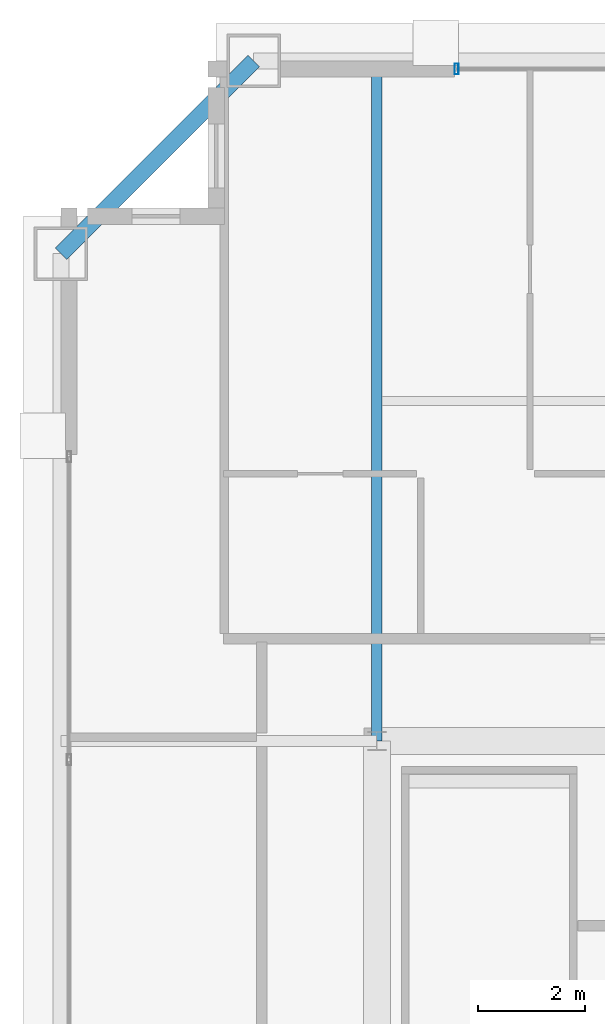
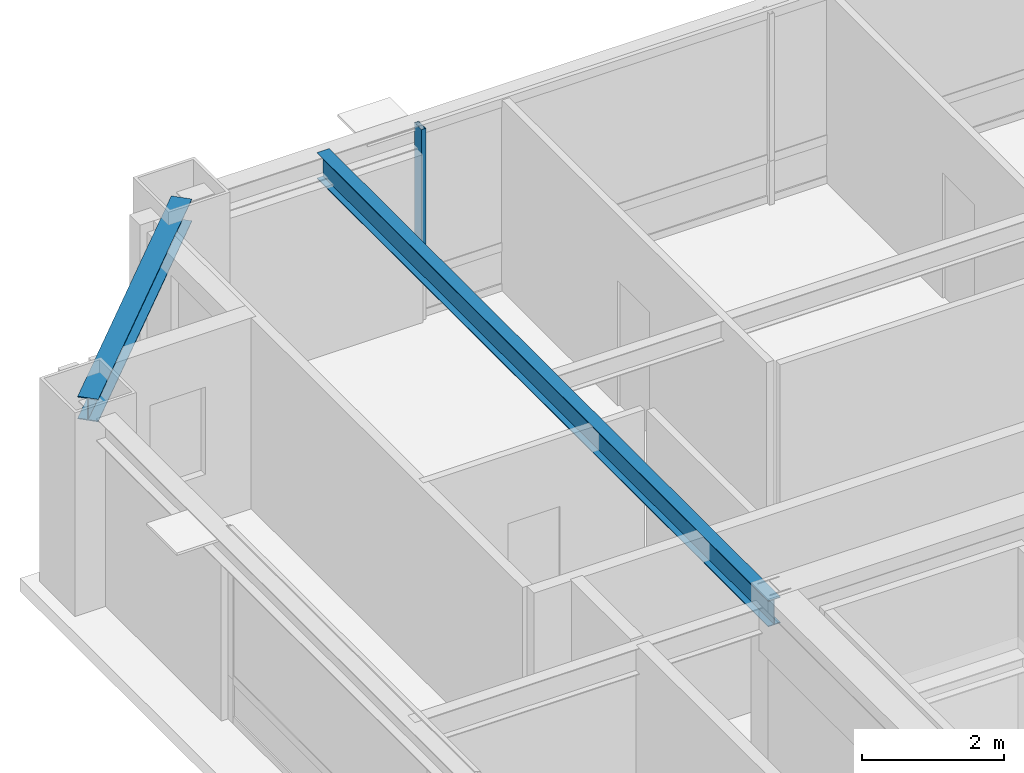
# One storey, part 16 of 35: 2 beams, 1 member, 1 element without a shape of its own.
"""IFC4 building model written with IfcOpenShell, lengths in metres."""

from ifc_helpers import new_model, si_unit, direction, frame, origin, origin_2d, place, context, subcontext, project, spatial, hollow_rectangle, i_section, extrude, source, transform, mapped, material, layer, layer_set, material_profile, profile_set, type_object, element, aggregate, save


model = new_model("IFC4")

# Units and contexts
model_context = context("Model", 3, precision=1e-05, world=origin(), true_north=direction((0.0, 1.0)))
body_context = subcontext(model_context, "Body", "Model", "MODEL_VIEW")
ifc_project = project(units=[si_unit("LENGTHUNIT", "METRE"), si_unit("AREAUNIT", "SQUARE_METRE"), si_unit("VOLUMEUNIT", "CUBIC_METRE"), si_unit("PLANEANGLEUNIT", "RADIAN"), si_unit("MASSUNIT", "GRAM", prefix="KILO"), si_unit("THERMODYNAMICTEMPERATUREUNIT", "KELVIN"), si_unit("POWERUNIT", "WATT")], contexts=[model_context])

# Site, building, storey
site_placement = place(None, origin())
site = spatial("IfcSite", under=ifc_project, at=site_placement, CompositionType="ELEMENT")
building_placement = place(site_placement, origin())
building = spatial("IfcBuilding", under=site, at=building_placement, Name="Yuzanri Waterfront Tower", CompositionType="ELEMENT")
storey_placement = place(building_placement, frame((0.0, 0.0, 311.199951171875)))
storey = spatial("IfcBuildingStorey", under=building, at=storey_placement, Name="L83", CompositionType="ELEMENT", Elevation=311.199951171875)

# Beams
ifc_material_1 = material(Name="Steel Q355B", Category="steel")
ifc_material_profile_1 = material_profile(ifc_material_1, i_section(OverallWidth=0.300048828125, OverallDepth=0.389892578125, WebThickness=0.010009765625, FlangeThickness=0.01611328125, at=origin_2d()), Name="HM 390x300x10x16")
ifc_profile_set_1 = profile_set([ifc_material_profile_1], Name="Steel Q355B")
beam_type_1 = type_object("IfcBeamType", Name="Perimeter Spandrel Q355B HM 390x300", PredefinedType="SPANDREL", material=ifc_profile_set_1)
shared_shape_1 = source(origin(), body_context, "Body", "SweptSolid", [
    extrude(i_section(OverallWidth=0.300048828125, OverallDepth=0.389892578125, WebThickness=0.010009765625, FlangeThickness=0.01611328125, at=origin_2d()), origin(), (0.0, 0.0, 1.0), 5.091064453125),
])
beam_1_placement = place(storey_placement, frame((21.5, 44.89990234375, 3.0849609375), z_axis=(-0.707130757816, -0.707082803744, 0.0), x_axis=(0.707082803744, -0.707130757816, 0.0)))
element("IfcBeam", 1, at=beam_1_placement, inside=storey, type_object=beam_type_1, Name="L83 Perimeter Spandrel N1-W3", PredefinedType="SPANDREL", context=body_context, shape_type="MappedRepresentation", body=[
    mapped(shared_shape_1, transform((0.0, 0.0, 0.0), scale=1.0)),
])
ifc_material_2 = material(Name="Steel Q355B", Category="steel")
ifc_material_profile_2 = material_profile(ifc_material_2, i_section(OverallWidth=0.199951171875, OverallDepth=0.449951171875, WebThickness=0.009033203125, FlangeThickness=0.013916015625, at=origin_2d()), Name="HN 450x200x9x14")
ifc_profile_set_2 = profile_set([ifc_material_profile_2], Name="Steel Q355B")
beam_type_2 = type_object("IfcBeamType", Name="Secondary Floor Beam Q355B HN 450x200", PredefinedType="BEAM", material=ifc_profile_set_2)
shared_shape_2 = source(origin(), body_context, "Body", "SweptSolid", [
    extrude(i_section(OverallWidth=0.199951171875, OverallDepth=0.449951171875, WebThickness=0.009033203125, FlangeThickness=0.013916015625, at=origin_2d()), origin(), (0.0, 0.0, 1.0), 12.699951171875),
])
beam_2_placement = place(storey_placement, frame((23.800048828125, 32.199951171875, 3.054931640625), z_axis=(0.0, 1.0, 0.0), x_axis=(-1.0, 0.0, 0.0)))
element("IfcBeam", 2, at=beam_2_placement, inside=storey, type_object=beam_type_2, Name="L83 North-West Core Line Beam", PredefinedType="BEAM", context=body_context, shape_type="MappedRepresentation", body=[
    mapped(shared_shape_2, transform((0.0, 0.0, 0.0), scale=1.0)),
])

# Curtain wall, member
ifc_material_3 = material(Name="Anodized Architectural Bronze", Category="metal")
ifc_layer = layer(ifc_material_3, 0.159912109375)
ifc_layer_set = layer_set([ifc_layer], Name="Anodized Architectural Bronze")
curtain_wall_type = type_object("IfcCurtainWallType", Name="Anodized Bronze High-Rise Penthouse High-Wind Unitized Curtain Wall 6900", PredefinedType="NOTDEFINED", material=ifc_layer_set)
curtain_wall_placement = place(storey_placement, origin())
curtain_wall = element("IfcCurtainWall", 3, at=curtain_wall_placement, inside=storey, type_object=curtain_wall_type, Name="L83 Curtain Wall CW-L83-NL", PredefinedType="NOTDEFINED")
ifc_material_4 = material(Name="Anodized Architectural Bronze", Category="metal")
ifc_material_profile_3 = material_profile(ifc_material_4, hollow_rectangle(XDim=0.074951171875, YDim=0.199951171875, WallThickness=0.00390625, at=origin_2d()), Name="CWM 75x200")
ifc_profile_set_3 = profile_set([ifc_material_profile_3], Name="Anodized Architectural Bronze")
member_type = type_object("IfcMemberType", Name="Anodized Bronze Primary Curtain-Wall Mullion 75x200", PredefinedType="MULLION", material=ifc_profile_set_3)
shared_shape_3 = source(origin(), body_context, "Body", "SweptSolid", [
    extrude(hollow_rectangle(XDim=0.074951171875, YDim=0.199951171875, WallThickness=0.00390625, at=origin_2d()), origin(), (0.0, 0.0, 1.0), 2.52392578125),
])
member_placement = place(storey_placement, frame((25.2900390625, 44.75, 0.756103515625), z_axis=(0.0, 0.0, 1.0), x_axis=(1.0, 0.0, 0.0)))
member = element("IfcMember", 4, at=member_placement, type_object=member_type, Name="CW-L83-NL Upper Mullion 00", PredefinedType="MULLION", context=body_context, shape_type="MappedRepresentation", body=[
    mapped(shared_shape_3, transform((0.0, 0.0, 0.0), scale=1.0)),
])
aggregate(curtain_wall, [member])

save(model, "model.ifc")
